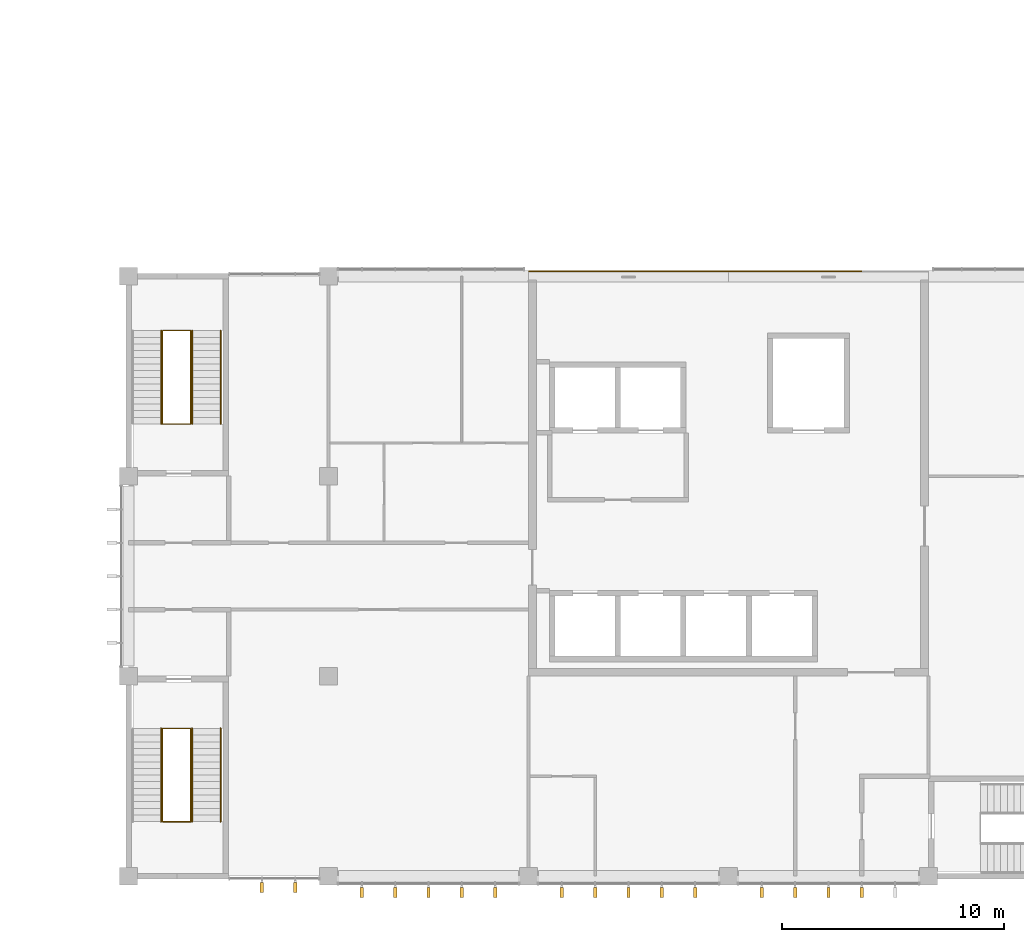
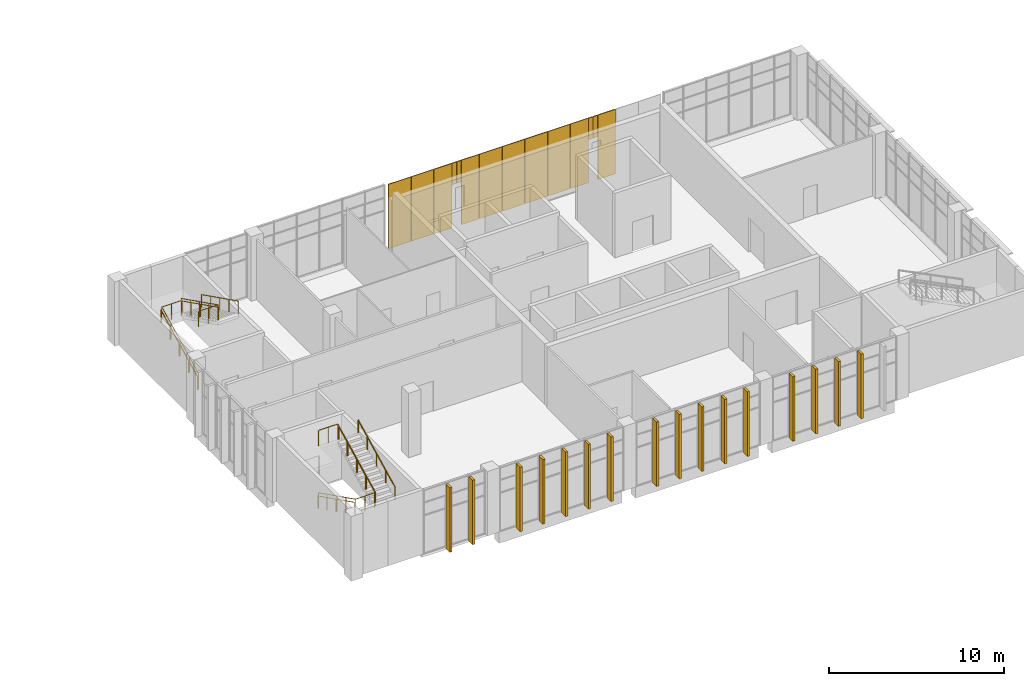
# One storey, part 39 of 40: 16 shading devices, 14 coverings, 8 railings.
"""IFC4 building model written with IfcOpenShell, lengths in metres."""

from ifc_helpers import new_model, si_unit, direction, frame, origin, origin_2d, place, context, subcontext, project, spatial, rectangle, circle, extrude, material, layer, layer_set, type_object, element, save


model = new_model("IFC4")

# Units and contexts
model_context = context("Model", 3, precision=1e-05, world=origin(), true_north=direction((0.0, 1.0)))
body_context = subcontext(model_context, "Body", "Model", "MODEL_VIEW")
ifc_project = project(units=[si_unit("LENGTHUNIT", "METRE"), si_unit("AREAUNIT", "SQUARE_METRE"), si_unit("VOLUMEUNIT", "CUBIC_METRE"), si_unit("PLANEANGLEUNIT", "RADIAN"), si_unit("MASSUNIT", "GRAM", prefix="KILO")], contexts=[model_context])

# Site, building, storey
site_placement = place(None, origin())
site = spatial("IfcSite", under=ifc_project, at=site_placement, CompositionType="ELEMENT")
building_placement = place(site_placement, origin())
building = spatial("IfcBuilding", under=site, at=building_placement, Name="Guidao Yard Department Store", CompositionType="ELEMENT")
storey_placement = place(building_placement, frame((0.0, 0.0, 24.0)))
storey = spatial("IfcBuildingStorey", under=building, at=storey_placement, Name="L05", CompositionType="ELEMENT", Elevation=24.0)

# Coverings
ifc_material_1 = material(Name="Anodised aluminium 6063-T5 cladding", Category="aluminium")
ifc_layer = layer(ifc_material_1, 0.050048828125)
ifc_layer_set = layer_set([ifc_layer], Name="Facade cladding CP1 anodised aluminium panel 6063")
covering_type = type_object("IfcCoveringType", Name="Facade cladding CP1 anodised aluminium panel 6063", PredefinedType="CLADDING", material=ifc_layer_set)
for number, where, z_axis, x_axis, name in (
    (1, (144.75, 27.22509765625, 0.0), (0.0, 0.0, 1.0), (1.0, 0.0, 0.0), "Core face cladding"),
    (2, (146.25, 27.22509765625, 0.0), (0.0, 0.0, 1.0), (1.0, 0.0, 0.0), "Core face cladding"),
):
    element("IfcCovering", number, at=place(storey_placement, frame(where, z_axis=z_axis, x_axis=x_axis)), inside=storey, type_object=covering_type, Name=name, PredefinedType="CLADDING", context=body_context, shape_type="SweptSolid", body=[
        extrude(rectangle(XDim=1.47998046875, YDim=0.050048828125, at=origin_2d()), origin(), (0.0, 0.0, 1.0), 4.5),
    ])
covering_1_placement = place(storey_placement, frame((147.60009765625, 27.22509765625, 0.0), z_axis=(0.0, 0.0, 1.0), x_axis=(1.0, 0.0, 0.0)))
element("IfcCovering", 3, at=covering_1_placement, inside=storey, type_object=covering_type, Name="Core face cladding", PredefinedType="CLADDING", context=body_context, shape_type="SweptSolid", body=[
    extrude(rectangle(XDim=1.179931640625, YDim=0.050048828125, at=origin_2d()), origin(), (0.0, 0.0, 1.0), 4.5),
])
for number, where, z_axis, x_axis, name in (
    (4, (148.35009765625, 27.22509765625, 3.0), (0.0, 0.0, 1.0), (1.0, 0.0, 0.0), "Core face cladding"),
    (5, (148.64990234375, 27.22509765625, 3.0), (0.0, 0.0, 1.0), (1.0, 0.0, 0.0), "Core face cladding"),
):
    element("IfcCovering", number, at=place(storey_placement, frame(where, z_axis=z_axis, x_axis=x_axis)), inside=storey, type_object=covering_type, Name=name, PredefinedType="CLADDING", context=body_context, shape_type="SweptSolid", body=[
        extrude(rectangle(XDim=0.280029296875, YDim=0.050048828125, at=origin_2d()), origin(), (0.0, 0.0, 1.0), 1.5),
    ])
covering_2_placement = place(storey_placement, frame((149.39990234375, 27.22509765625, 0.0), z_axis=(0.0, 0.0, 1.0), x_axis=(1.0, 0.0, 0.0)))
element("IfcCovering", 6, at=covering_2_placement, inside=storey, type_object=covering_type, Name="Core face cladding", PredefinedType="CLADDING", context=body_context, shape_type="SweptSolid", body=[
    extrude(rectangle(XDim=1.179931640625, YDim=0.050048828125, at=origin_2d()), origin(), (0.0, 0.0, 1.0), 4.5),
])
for number, where, z_axis, x_axis, name in (
    (7, (150.75, 27.22509765625, 0.0), (0.0, 0.0, 1.0), (1.0, 0.0, 0.0), "Core face cladding"),
    (8, (152.25, 27.22509765625, 0.0), (0.0, 0.0, 1.0), (1.0, 0.0, 0.0), "Core face cladding"),
    (9, (153.75, 27.22509765625, 0.0), (0.0, 0.0, 1.0), (1.0, 0.0, 0.0), "Core face cladding"),
    (10, (155.25, 27.22509765625, 0.0), (0.0, 0.0, 1.0), (1.0, 0.0, 0.0), "Core face cladding"),
):
    element("IfcCovering", number, at=place(storey_placement, frame(where, z_axis=z_axis, x_axis=x_axis)), inside=storey, type_object=covering_type, Name=name, PredefinedType="CLADDING", context=body_context, shape_type="SweptSolid", body=[
        extrude(rectangle(XDim=1.47998046875, YDim=0.050048828125, at=origin_2d()), origin(), (0.0, 0.0, 1.0), 4.5),
    ])
covering_3_placement = place(storey_placement, frame((156.60009765625, 27.22509765625, 0.0), z_axis=(0.0, 0.0, 1.0), x_axis=(1.0, 0.0, 0.0)))
element("IfcCovering", 11, at=covering_3_placement, inside=storey, type_object=covering_type, Name="Core face cladding", PredefinedType="CLADDING", context=body_context, shape_type="SweptSolid", body=[
    extrude(rectangle(XDim=1.179931640625, YDim=0.050048828125, at=origin_2d()), origin(), (0.0, 0.0, 1.0), 4.5),
])
for number, where, z_axis, x_axis, name in (
    (12, (157.35009765625, 27.22509765625, 3.0), (0.0, 0.0, 1.0), (1.0, 0.0, 0.0), "Core face cladding"),
    (13, (157.64990234375, 27.22509765625, 3.0), (0.0, 0.0, 1.0), (1.0, 0.0, 0.0), "Core face cladding"),
):
    element("IfcCovering", number, at=place(storey_placement, frame(where, z_axis=z_axis, x_axis=x_axis)), inside=storey, type_object=covering_type, Name=name, PredefinedType="CLADDING", context=body_context, shape_type="SweptSolid", body=[
        extrude(rectangle(XDim=0.280029296875, YDim=0.050048828125, at=origin_2d()), origin(), (0.0, 0.0, 1.0), 1.5),
    ])
covering_4_placement = place(storey_placement, frame((158.39990234375, 27.22509765625, 0.0), z_axis=(0.0, 0.0, 1.0), x_axis=(1.0, 0.0, 0.0)))
element("IfcCovering", 14, at=covering_4_placement, inside=storey, type_object=covering_type, Name="Core face cladding", PredefinedType="CLADDING", context=body_context, shape_type="SweptSolid", body=[
    extrude(rectangle(XDim=1.179931640625, YDim=0.050048828125, at=origin_2d()), origin(), (0.0, 0.0, 1.0), 4.5),
])

# Railings
ifc_material_2 = material(Name="Steel Q235", Category="steel")
railing_type_1 = type_object("IfcRailingType", Name="Guard steel balustrade 1100", PredefinedType="GUARDRAIL", material=ifc_material_2)
railing_1_placement = place(storey_placement, frame((127.52490234375, 6.64990234375, 0.14990234375)))
element("IfcRailing", 15, at=railing_1_placement, inside=storey, type_object=railing_type_1, Name="Stair O1 guard L05 8", PredefinedType="GUARDRAIL", context=body_context, shape_type="SweptSolid", body=[
    extrude(circle(Radius=0.02392578125, at=origin_2d()), frame((0.0, 0.0, 1.076171875), z_axis=(0.0, -0.894416792377, 0.447234392142), x_axis=(1.0, 0.0, 0.0)), (0.0, 0.0, 1.0), 4.69580078125),
    extrude(circle(Radius=0.02392578125, at=origin_2d()), frame((0.0, -4.199951171875, 3.17626953125), z_axis=(1.0, 0.0, 0.0), x_axis=(0.0, 1.0, 0.0)), (0.0, 0.0, 1.0), 1.275146484375),
    extrude(circle(Radius=0.02392578125, at=origin_2d()), frame((1.275146484375, -4.199951171875, 3.17626953125), z_axis=(0.0, 0.0, 1.0), x_axis=(1.0, 0.0, 0.0)), (0.0, 0.0, 1.0), 0.14990234375),
    extrude(circle(Radius=0.02392578125, at=origin_2d()), frame((1.275146484375, -4.199951171875, 3.326171875), z_axis=(0.0, 0.894416792377, 0.447234392142), x_axis=(-1.0, 0.0, 0.0)), (0.0, 0.0, 1.0), 4.69580078125),
    extrude(circle(Radius=0.02392578125, at=origin_2d()), frame((1.275146484375, 0.0, 5.42626953125), z_axis=(-1.0, 0.0, 0.0), x_axis=(0.0, -1.0, 0.0)), (0.0, 0.0, 1.0), 1.275146484375),
    extrude(circle(Radius=0.02099609375, at=origin_2d()), origin(), (0.0, 0.0, 1.0), 1.052001953125),
    extrude(circle(Radius=0.02099609375, at=origin_2d()), frame((0.0, -1.050048828125, 0.52490234375)), (0.0, 0.0, 1.0), 1.052001953125),
    extrude(circle(Radius=0.02099609375, at=origin_2d()), frame((0.0, -2.10009765625, 1.050048828125)), (0.0, 0.0, 1.0), 1.052001953125),
    extrude(circle(Radius=0.02099609375, at=origin_2d()), frame((0.0, -3.14990234375, 1.5751953125)), (0.0, 0.0, 1.0), 1.052001953125),
    extrude(circle(Radius=0.02099609375, at=origin_2d()), frame((0.0, -4.199951171875, 2.10009765625)), (0.0, 0.0, 1.0), 1.052001953125),
    extrude(circle(Radius=0.02099609375, at=origin_2d()), frame((0.6376953125, -4.199951171875, 2.10009765625)), (0.0, 0.0, 1.0), 1.052001953125),
    extrude(circle(Radius=0.02099609375, at=origin_2d()), frame((1.275146484375, -4.199951171875, 2.10009765625)), (0.0, 0.0, 1.0), 1.052001953125),
    extrude(circle(Radius=0.02099609375, at=origin_2d()), frame((1.275146484375, -4.199951171875, 2.25)), (0.0, 0.0, 1.0), 1.052001953125),
    extrude(circle(Radius=0.02099609375, at=origin_2d()), frame((1.275146484375, -3.14990234375, 2.77490234375)), (0.0, 0.0, 1.0), 1.052001953125),
    extrude(circle(Radius=0.02099609375, at=origin_2d()), frame((1.275146484375, -2.10009765625, 3.300048828125)), (0.0, 0.0, 1.0), 1.052001953125),
    extrude(circle(Radius=0.02099609375, at=origin_2d()), frame((1.275146484375, -1.050048828125, 3.8251953125)), (0.0, 0.0, 1.0), 1.052001953125),
    extrude(circle(Radius=0.02099609375, at=origin_2d()), frame((1.275146484375, 0.0, 4.35009765625)), (0.0, 0.0, 1.0), 1.052001953125),
    extrude(circle(Radius=0.02099609375, at=origin_2d()), frame((0.6376953125, 0.0, 4.35009765625)), (0.0, 0.0, 1.0), 1.052001953125),
    extrude(circle(Radius=0.02099609375, at=origin_2d()), frame((0.0, 0.0, 4.35009765625)), (0.0, 0.0, 1.0), 1.052001953125),
])
railing_2_placement = place(storey_placement, frame((127.52490234375, 20.35009765625, 0.14990234375)))
element("IfcRailing", 16, at=railing_2_placement, inside=storey, type_object=railing_type_1, Name="Stair O3 guard L05 10", PredefinedType="GUARDRAIL", context=body_context, shape_type="SweptSolid", body=[
    extrude(circle(Radius=0.02392578125, at=origin_2d()), frame((0.0, 0.0, 1.076171875), z_axis=(0.0, 0.894416792377, 0.447234392142), x_axis=(-1.0, 0.0, 0.0)), (0.0, 0.0, 1.0), 4.69580078125),
    extrude(circle(Radius=0.02392578125, at=origin_2d()), frame((0.0, 4.199951171875, 3.17626953125), z_axis=(1.0, 0.0, 0.0), x_axis=(0.0, 1.0, 0.0)), (0.0, 0.0, 1.0), 1.275146484375),
    extrude(circle(Radius=0.02392578125, at=origin_2d()), frame((1.275146484375, 4.199951171875, 3.17626953125), z_axis=(0.0, 0.0, 1.0), x_axis=(1.0, 0.0, 0.0)), (0.0, 0.0, 1.0), 0.14990234375),
    extrude(circle(Radius=0.02392578125, at=origin_2d()), frame((1.275146484375, 4.199951171875, 3.326171875), z_axis=(0.0, -0.894416792377, 0.447234392142), x_axis=(1.0, 0.0, 0.0)), (0.0, 0.0, 1.0), 4.69580078125),
    extrude(circle(Radius=0.02392578125, at=origin_2d()), frame((1.275146484375, 0.0, 5.42626953125), z_axis=(-1.0, 0.0, 0.0), x_axis=(0.0, -1.0, 0.0)), (0.0, 0.0, 1.0), 1.275146484375),
    extrude(circle(Radius=0.02099609375, at=origin_2d()), origin(), (0.0, 0.0, 1.0), 1.052001953125),
    extrude(circle(Radius=0.02099609375, at=origin_2d()), frame((0.0, 1.050048828125, 0.52490234375)), (0.0, 0.0, 1.0), 1.052001953125),
    extrude(circle(Radius=0.02099609375, at=origin_2d()), frame((0.0, 2.10009765625, 1.050048828125)), (0.0, 0.0, 1.0), 1.052001953125),
    extrude(circle(Radius=0.02099609375, at=origin_2d()), frame((0.0, 3.14990234375, 1.5751953125)), (0.0, 0.0, 1.0), 1.052001953125),
    extrude(circle(Radius=0.02099609375, at=origin_2d()), frame((0.0, 4.199951171875, 2.10009765625)), (0.0, 0.0, 1.0), 1.052001953125),
    extrude(circle(Radius=0.02099609375, at=origin_2d()), frame((0.6376953125, 4.199951171875, 2.10009765625)), (0.0, 0.0, 1.0), 1.052001953125),
    extrude(circle(Radius=0.02099609375, at=origin_2d()), frame((1.275146484375, 4.199951171875, 2.10009765625)), (0.0, 0.0, 1.0), 1.052001953125),
    extrude(circle(Radius=0.02099609375, at=origin_2d()), frame((1.275146484375, 4.199951171875, 2.25)), (0.0, 0.0, 1.0), 1.052001953125),
    extrude(circle(Radius=0.02099609375, at=origin_2d()), frame((1.275146484375, 3.14990234375, 2.77490234375)), (0.0, 0.0, 1.0), 1.052001953125),
    extrude(circle(Radius=0.02099609375, at=origin_2d()), frame((1.275146484375, 2.10009765625, 3.300048828125)), (0.0, 0.0, 1.0), 1.052001953125),
    extrude(circle(Radius=0.02099609375, at=origin_2d()), frame((1.275146484375, 1.050048828125, 3.8251953125)), (0.0, 0.0, 1.0), 1.052001953125),
    extrude(circle(Radius=0.02099609375, at=origin_2d()), frame((1.275146484375, 0.0, 4.35009765625)), (0.0, 0.0, 1.0), 1.052001953125),
    extrude(circle(Radius=0.02099609375, at=origin_2d()), frame((0.6376953125, 0.0, 4.35009765625)), (0.0, 0.0, 1.0), 1.052001953125),
    extrude(circle(Radius=0.02099609375, at=origin_2d()), frame((0.0, 0.0, 4.35009765625)), (0.0, 0.0, 1.0), 1.052001953125),
])
ifc_material_3 = material(Name="Steel Q235", Category="steel")
railing_type_2 = type_object("IfcRailingType", Name="Handrail steel tube 48", PredefinedType="HANDRAIL", material=ifc_material_3)
railing_3_placement = place(storey_placement, frame((127.465087890625, 6.64990234375, 0.14990234375)))
element("IfcRailing", 17, at=railing_3_placement, inside=storey, type_object=railing_type_2, Name="Stair O1 hand rail L05 10", PredefinedType="HANDRAIL", context=body_context, shape_type="SweptSolid", body=[
    extrude(circle(Radius=0.02392578125, at=origin_2d()), frame((0.0, 0.0, 0.8759765625), z_axis=(0.0, -0.894416792377, 0.447234392142), x_axis=(1.0, 0.0, 0.0)), (0.0, 0.0, 1.0), 4.69580078125),
    extrude(circle(Radius=0.02099609375, at=origin_2d()), origin(), (0.0, 0.0, 1.0), 0.851806640625),
    extrude(circle(Radius=0.02099609375, at=origin_2d()), frame((0.0, -1.050048828125, 0.52490234375)), (0.0, 0.0, 1.0), 0.851806640625),
    extrude(circle(Radius=0.02099609375, at=origin_2d()), frame((0.0, -2.10009765625, 1.050048828125)), (0.0, 0.0, 1.0), 0.851806640625),
    extrude(circle(Radius=0.02099609375, at=origin_2d()), frame((0.0, -3.14990234375, 1.5751953125)), (0.0, 0.0, 1.0), 0.851806640625),
    extrude(circle(Radius=0.02099609375, at=origin_2d()), frame((0.0, -4.199951171875, 2.10009765625)), (0.0, 0.0, 1.0), 0.851806640625),
])
for number, where, name in (
    (18, (128.860107421875, 2.449951171875, 2.39990234375), "Stair O1 hand rail L05 11"),
    (19, (130.139892578125, 2.449951171875, 2.39990234375), "Stair O1 hand rail L05 12"),
    (20, (127.465087890625, 20.35009765625, 0.14990234375), "Stair O3 hand rail L05 18"),
):
    element("IfcRailing", number, at=place(storey_placement, frame(where)), inside=storey, type_object=railing_type_2, Name=name, PredefinedType="HANDRAIL", context=body_context, shape_type="SweptSolid", body=[
        extrude(circle(Radius=0.02392578125, at=origin_2d()), frame((0.0, 0.0, 0.8759765625), z_axis=(0.0, 0.894416792377, 0.447234392142), x_axis=(-1.0, 0.0, 0.0)), (0.0, 0.0, 1.0), 4.69580078125),
        extrude(circle(Radius=0.02099609375, at=origin_2d()), origin(), (0.0, 0.0, 1.0), 0.851806640625),
        extrude(circle(Radius=0.02099609375, at=origin_2d()), frame((0.0, 1.050048828125, 0.52490234375)), (0.0, 0.0, 1.0), 0.851806640625),
        extrude(circle(Radius=0.02099609375, at=origin_2d()), frame((0.0, 2.10009765625, 1.050048828125)), (0.0, 0.0, 1.0), 0.851806640625),
        extrude(circle(Radius=0.02099609375, at=origin_2d()), frame((0.0, 3.14990234375, 1.5751953125)), (0.0, 0.0, 1.0), 0.851806640625),
        extrude(circle(Radius=0.02099609375, at=origin_2d()), frame((0.0, 4.199951171875, 2.10009765625)), (0.0, 0.0, 1.0), 0.851806640625),
    ])
for number, where, name in (
    (21, (128.860107421875, 24.550048828125, 2.39990234375), "Stair O3 hand rail L05 19"),
    (22, (130.139892578125, 24.550048828125, 2.39990234375), "Stair O3 hand rail L05 20"),
):
    element("IfcRailing", number, at=place(storey_placement, frame(where)), inside=storey, type_object=railing_type_2, Name=name, PredefinedType="HANDRAIL", context=body_context, shape_type="SweptSolid", body=[
        extrude(circle(Radius=0.02392578125, at=origin_2d()), frame((0.0, 0.0, 0.8759765625), z_axis=(0.0, -0.894416792377, 0.447234392142), x_axis=(1.0, 0.0, 0.0)), (0.0, 0.0, 1.0), 4.69580078125),
        extrude(circle(Radius=0.02099609375, at=origin_2d()), origin(), (0.0, 0.0, 1.0), 0.851806640625),
        extrude(circle(Radius=0.02099609375, at=origin_2d()), frame((0.0, -1.050048828125, 0.52490234375)), (0.0, 0.0, 1.0), 0.851806640625),
        extrude(circle(Radius=0.02099609375, at=origin_2d()), frame((0.0, -2.10009765625, 1.050048828125)), (0.0, 0.0, 1.0), 0.851806640625),
        extrude(circle(Radius=0.02099609375, at=origin_2d()), frame((0.0, -3.14990234375, 1.5751953125)), (0.0, 0.0, 1.0), 0.851806640625),
        extrude(circle(Radius=0.02099609375, at=origin_2d()), frame((0.0, -4.199951171875, 2.10009765625)), (0.0, 0.0, 1.0), 0.851806640625),
    ])

# Shading devices
ifc_material_4 = material(Name="Aluminium 6063-T5", Category="aluminium")
shading_device_type = type_object("IfcShadingDeviceType", Name="Vertical fin FN2 aluminium 150 x 450", PredefinedType="SHUTTER", material=ifc_material_4)
for number, where, z_axis, x_axis, name in (
    (23, (132.0, -0.5048828125, 0.0), (0.0, 0.0, 1.0), (-1.0, 0.0, 0.0), "Vertical fin"),
    (24, (133.5, -0.5048828125, 0.0), (0.0, 0.0, 1.0), (-1.0, 0.0, 0.0), "Vertical fin"),
    (25, (136.5, -0.735107421875, 0.0), (0.0, 0.0, 1.0), (-1.0, 0.0, 0.0), "Vertical fin"),
    (26, (138.0, -0.735107421875, 0.0), (0.0, 0.0, 1.0), (-1.0, 0.0, 0.0), "Vertical fin"),
    (27, (139.5, -0.735107421875, 0.0), (0.0, 0.0, 1.0), (-1.0, 0.0, 0.0), "Vertical fin"),
    (28, (141.0, -0.735107421875, 0.0), (0.0, 0.0, 1.0), (-1.0, 0.0, 0.0), "Vertical fin"),
    (29, (142.5, -0.735107421875, 0.0), (0.0, 0.0, 1.0), (-1.0, 0.0, 0.0), "Vertical fin"),
    (30, (145.5, -0.735107421875, 0.0), (0.0, 0.0, 1.0), (-1.0, 0.0, 0.0), "Vertical fin"),
    (31, (147.0, -0.735107421875, 0.0), (0.0, 0.0, 1.0), (-1.0, 0.0, 0.0), "Vertical fin"),
    (32, (148.5, -0.735107421875, 0.0), (0.0, 0.0, 1.0), (-1.0, 0.0, 0.0), "Vertical fin"),
    (33, (150.0, -0.735107421875, 0.0), (0.0, 0.0, 1.0), (-1.0, 0.0, 0.0), "Vertical fin"),
    (34, (151.5, -0.735107421875, 0.0), (0.0, 0.0, 1.0), (-1.0, 0.0, 0.0), "Vertical fin"),
    (35, (154.5, -0.735107421875, 0.0), (0.0, 0.0, 1.0), (-1.0, 0.0, 0.0), "Vertical fin"),
    (36, (156.0, -0.735107421875, 0.0), (0.0, 0.0, 1.0), (-1.0, 0.0, 0.0), "Vertical fin"),
    (37, (157.5, -0.735107421875, 0.0), (0.0, 0.0, 1.0), (-1.0, 0.0, 0.0), "Vertical fin"),
    (38, (159.0, -0.735107421875, 0.0), (0.0, 0.0, 1.0), (-1.0, 0.0, 0.0), "Vertical fin"),
):
    element("IfcShadingDevice", number, at=place(storey_placement, frame(where, z_axis=z_axis, x_axis=x_axis)), inside=storey, type_object=shading_device_type, Name=name, PredefinedType="SHUTTER", context=body_context, shape_type="SweptSolid", body=[
        extrude(rectangle(XDim=0.14990234375, YDim=0.449951171875, at=origin_2d()), origin(), (0.0, 0.0, 1.0), 4.5),
    ])

save(model, "model.ifc")
